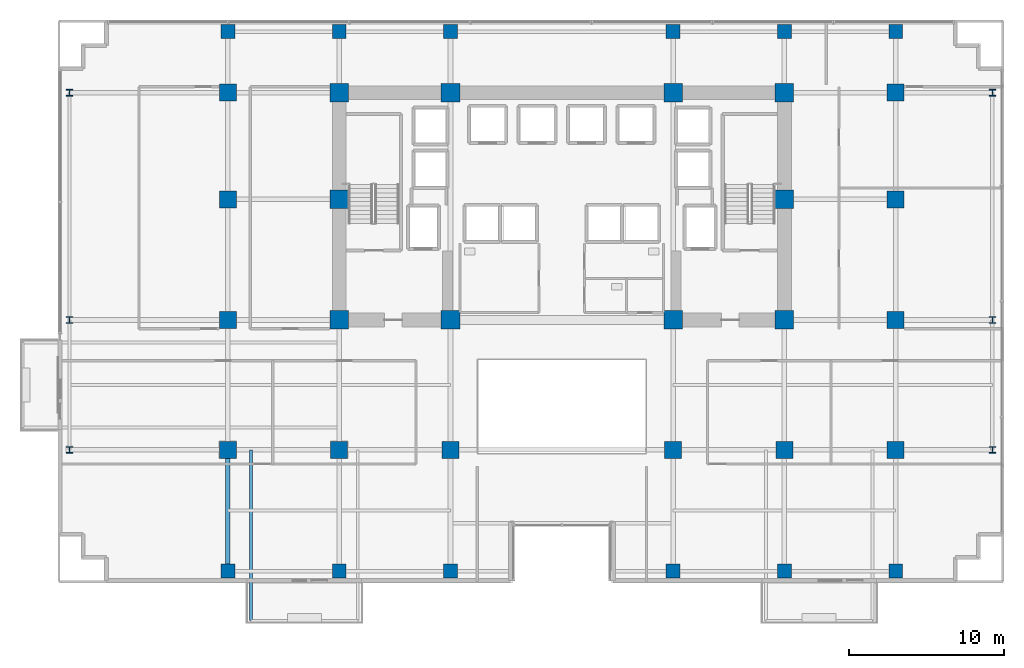
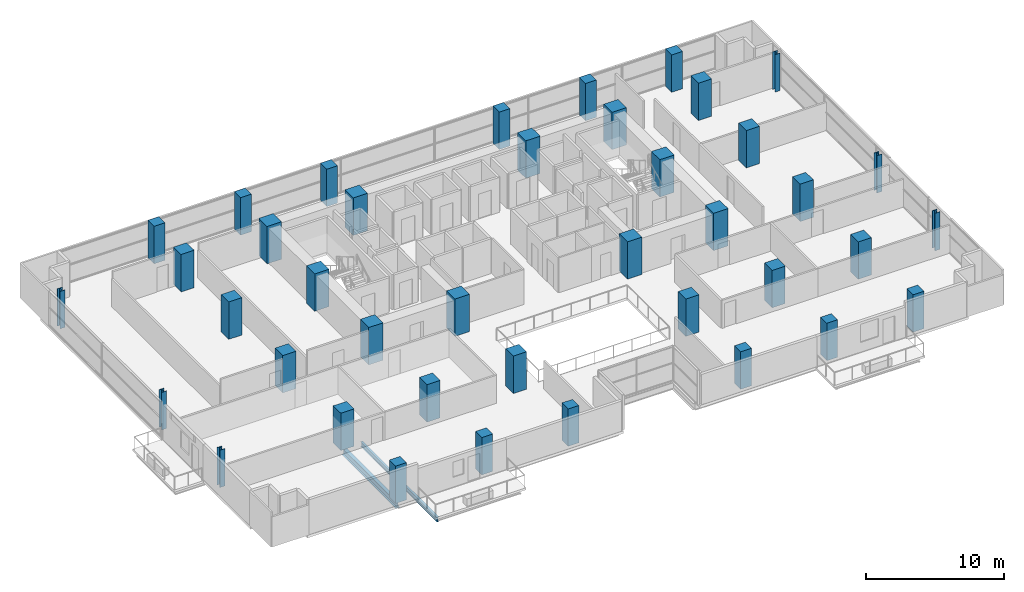
# One storey, part 1 of 30: 40 columns, 2 beams.
"""IFC4 building model written with IfcOpenShell, lengths in metres."""

from ifc_helpers import new_model, si_unit, direction, frame, origin, origin_2d, place, context, subcontext, project, spatial, rectangle, i_section, extrude, material, material_profile, profile_set, type_object, element, save


model = new_model("IFC4")

# Units and contexts
model_context = context("Model", 3, precision=1e-05, world=origin(), true_north=direction((0.0, 1.0)))
body_context = subcontext(model_context, "Body", "Model", "MODEL_VIEW")
ifc_project = project(units=[si_unit("LENGTHUNIT", "METRE"), si_unit("AREAUNIT", "SQUARE_METRE"), si_unit("VOLUMEUNIT", "CUBIC_METRE"), si_unit("PLANEANGLEUNIT", "RADIAN"), si_unit("MASSUNIT", "GRAM", prefix="KILO")], contexts=[model_context])

# Site, building, storey
site_placement = place(None, origin())
site = spatial("IfcSite", under=ifc_project, at=site_placement, CompositionType="ELEMENT")
building_placement = place(site_placement, origin())
building = spatial("IfcBuilding", under=site, at=building_placement, Name="Zarnakvel Exchange Tower", CompositionType="ELEMENT")
storey_placement = place(building_placement, frame((0.0, 0.0, 40.60009765625)))
storey = spatial("IfcBuildingStorey", under=building, at=storey_placement, Name="L10", CompositionType="ELEMENT", Elevation=40.60009765625)

# Columns
ifc_material_1 = material(Name="Concrete C80/95", Category="concrete")
ifc_material_profile_1 = material_profile(ifc_material_1, rectangle(XDim=1.199951171875, YDim=1.199951171875, at=origin_2d()))
ifc_profile_set_1 = profile_set([ifc_material_profile_1], Name="Concrete C80/95")
column_type_1 = type_object("IfcColumnType", Name="CC-01", PredefinedType="COLUMN", material=ifc_profile_set_1)
for number, where, z_axis, x_axis, name in (
    (1, (-14.39990234375, -1.199951171875, 0.0), (0.0, 0.0, 1.0), (1.0, 0.0, 0.0), "L10 Column C-4D (CC-01)"),
    (2, (-7.199951171875, -1.199951171875, 0.0), (0.0, 0.0, 1.0), (1.0, 0.0, 0.0), "L10 Column C-5D (CC-01)"),
    (3, (7.199951171875, -1.199951171875, 0.0), (0.0, 0.0, 1.0), (1.0, 0.0, 0.0), "L10 Column C-8D (CC-01)"),
    (4, (14.39990234375, -1.199951171875, 0.0), (0.0, 0.0, 1.0), (1.0, 0.0, 0.0), "L10 Column C-9D (CC-01)"),
    (5, (-14.39990234375, 6.60009765625, 0.0), (0.0, 0.0, 1.0), (1.0, 0.0, 0.0), "L10 Column C-4E (CC-01)"),
    (6, (14.39990234375, 6.60009765625, 0.0), (0.0, 0.0, 1.0), (1.0, 0.0, 0.0), "L10 Column C-9E (CC-01)"),
    (7, (-14.39990234375, 13.5, 0.0), (0.0, 0.0, 1.0), (1.0, 0.0, 0.0), "L10 Column C-4F (CC-01)"),
    (8, (-7.199951171875, 13.5, 0.0), (0.0, 0.0, 1.0), (1.0, 0.0, 0.0), "L10 Column C-5F (CC-01)"),
    (9, (7.199951171875, 13.5, 0.0), (0.0, 0.0, 1.0), (1.0, 0.0, 0.0), "L10 Column C-8F (CC-01)"),
    (10, (14.39990234375, 13.5, 0.0), (0.0, 0.0, 1.0), (1.0, 0.0, 0.0), "L10 Column C-9F (CC-01)"),
):
    element("IfcColumn", number, at=place(storey_placement, frame(where, z_axis=z_axis, x_axis=x_axis)), inside=storey, type_object=column_type_1, Name=name, PredefinedType="COLUMN", context=body_context, shape_type="SweptSolid", body=[
        extrude(rectangle(XDim=1.199951171875, YDim=1.199951171875, at=origin_2d()), origin(), (0.0, 0.0, 1.0), 3.2998046875),
    ])
ifc_material_2 = material(Name="Steel S355", Category="steel")
ifc_material_profile_2 = material_profile(ifc_material_2, i_section(OverallWidth=0.412109375, OverallDepth=0.425048828125, WebThickness=0.02587890625, FlangeThickness=0.0390625, FilletRadius=0.014892578125, at=origin_2d()))
ifc_profile_set_2 = profile_set([ifc_material_profile_2], Name="Steel S355")
column_type_2 = type_object("IfcColumnType", Name="SC-01", PredefinedType="COLUMN", material=ifc_profile_set_2)
for number, where, z_axis, x_axis, name in (
    (11, (-31.85009765625, -9.60009765625, 0.0), (0.0, 0.0, 1.0), (1.0, 0.0, 0.0), "L10 Column TW-C (SC-01)"),
    (12, (27.85009765625, -9.60009765625, 0.0), (0.0, 0.0, 1.0), (1.0, 0.0, 0.0), "L10 Column TE-C (SC-01)"),
    (13, (-31.85009765625, -1.199951171875, 0.0), (0.0, 0.0, 1.0), (1.0, 0.0, 0.0), "L10 Column TW-D (SC-01)"),
    (14, (27.85009765625, -1.199951171875, 0.0), (0.0, 0.0, 1.0), (1.0, 0.0, 0.0), "L10 Column TE-D (SC-01)"),
    (15, (-31.85009765625, 13.5, 0.0), (0.0, 0.0, 1.0), (1.0, 0.0, 0.0), "L10 Column TW-F (SC-01)"),
    (16, (27.85009765625, 13.5, 0.0), (0.0, 0.0, 1.0), (1.0, 0.0, 0.0), "L10 Column TE-F (SC-01)"),
):
    element("IfcColumn", number, at=place(storey_placement, frame(where, z_axis=z_axis, x_axis=x_axis)), inside=storey, type_object=column_type_2, Name=name, PredefinedType="COLUMN", context=body_context, shape_type="SweptSolid", body=[
        extrude(i_section(OverallWidth=0.412109375, OverallDepth=0.425048828125, WebThickness=0.02587890625, FlangeThickness=0.0390625, FilletRadius=0.014892578125, at=origin_2d()), origin(), (0.0, 0.0, 1.0), 3.2998046875),
    ])
ifc_material_profile_3 = material_profile(ifc_material_1, rectangle(XDim=1.10009765625, YDim=1.10009765625, at=origin_2d()))
ifc_profile_set_3 = profile_set([ifc_material_profile_3], Name="Concrete C80/95")
column_type_3 = type_object("IfcColumnType", Name="TC-01", PredefinedType="COLUMN", material=ifc_profile_set_3)
for number, where, z_axis, x_axis, name in (
    (17, (-14.39990234375, -9.60009765625, 0.0), (0.0, 0.0, 1.0), (1.0, 0.0, 0.0), "L10 Column T-4C (TC-01)"),
    (18, (-7.199951171875, -9.60009765625, 0.0), (0.0, 0.0, 1.0), (1.0, 0.0, 0.0), "L10 Column T-5C (TC-01)"),
    (19, (7.199951171875, -9.60009765625, 0.0), (0.0, 0.0, 1.0), (1.0, 0.0, 0.0), "L10 Column T-8C (TC-01)"),
    (20, (14.39990234375, -9.60009765625, 0.0), (0.0, 0.0, 1.0), (1.0, 0.0, 0.0), "L10 Column T-9C (TC-01)"),
    (21, (-21.60009765625, -9.60009765625, 0.0), (0.0, 0.0, 1.0), (1.0, 0.0, 0.0), "L10 Column T-3C (TC-01)"),
    (22, (-21.60009765625, -1.199951171875, 0.0), (0.0, 0.0, 1.0), (1.0, 0.0, 0.0), "L10 Column T-3D (TC-01)"),
    (23, (-21.60009765625, 6.60009765625, 0.0), (0.0, 0.0, 1.0), (1.0, 0.0, 0.0), "L10 Column T-3E (TC-01)"),
    (24, (-21.60009765625, 13.5, 0.0), (0.0, 0.0, 1.0), (1.0, 0.0, 0.0), "L10 Column T-3F (TC-01)"),
    (25, (21.60009765625, -9.60009765625, 0.0), (0.0, 0.0, 1.0), (1.0, 0.0, 0.0), "L10 Column T-10C (TC-01)"),
    (26, (21.60009765625, -1.199951171875, 0.0), (0.0, 0.0, 1.0), (1.0, 0.0, 0.0), "L10 Column T-10D (TC-01)"),
    (27, (21.60009765625, 6.60009765625, 0.0), (0.0, 0.0, 1.0), (1.0, 0.0, 0.0), "L10 Column T-10E (TC-01)"),
    (28, (21.60009765625, 13.5, 0.0), (0.0, 0.0, 1.0), (1.0, 0.0, 0.0), "L10 Column T-10F (TC-01)"),
):
    element("IfcColumn", number, at=place(storey_placement, frame(where, z_axis=z_axis, x_axis=x_axis)), inside=storey, type_object=column_type_3, Name=name, PredefinedType="COLUMN", context=body_context, shape_type="SweptSolid", body=[
        extrude(rectangle(XDim=1.10009765625, YDim=1.10009765625, at=origin_2d()), origin(), (0.0, 0.0, 1.0), 3.2998046875),
    ])
ifc_material_3 = material(Name="Concrete C60/75", Category="concrete")
ifc_material_profile_4 = material_profile(ifc_material_3, rectangle(XDim=0.89990234375, YDim=0.89990234375, at=origin_2d()))
ifc_profile_set_4 = profile_set([ifc_material_profile_4], Name="Concrete C60/75")
column_type_4 = type_object("IfcColumnType", Name="TC-02", PredefinedType="COLUMN", material=ifc_profile_set_4)
for number, where, z_axis, x_axis, name in (
    (29, (-14.39990234375, -17.449951171875, 0.0), (0.0, 0.0, 1.0), (1.0, 0.0, 0.0), "L10 Column TS-4 (TC-02)"),
    (30, (-14.39990234375, 17.449951171875, 0.0), (0.0, 0.0, 1.0), (1.0, 0.0, 0.0), "L10 Column TN-4 (TC-02)"),
    (31, (-7.199951171875, -17.449951171875, 0.0), (0.0, 0.0, 1.0), (1.0, 0.0, 0.0), "L10 Column TS-5 (TC-02)"),
    (32, (-7.199951171875, 17.449951171875, 0.0), (0.0, 0.0, 1.0), (1.0, 0.0, 0.0), "L10 Column TN-5 (TC-02)"),
    (33, (7.199951171875, -17.449951171875, 0.0), (0.0, 0.0, 1.0), (1.0, 0.0, 0.0), "L10 Column TS-8 (TC-02)"),
    (34, (7.199951171875, 17.449951171875, 0.0), (0.0, 0.0, 1.0), (1.0, 0.0, 0.0), "L10 Column TN-8 (TC-02)"),
    (35, (14.39990234375, -17.449951171875, 0.0), (0.0, 0.0, 1.0), (1.0, 0.0, 0.0), "L10 Column TS-9 (TC-02)"),
    (36, (14.39990234375, 17.449951171875, 0.0), (0.0, 0.0, 1.0), (1.0, 0.0, 0.0), "L10 Column TN-9 (TC-02)"),
    (37, (-21.60009765625, -17.449951171875, 0.0), (0.0, 0.0, 1.0), (1.0, 0.0, 0.0), "L10 Column TS-3 (TC-02)"),
    (38, (-21.60009765625, 17.449951171875, 0.0), (0.0, 0.0, 1.0), (1.0, 0.0, 0.0), "L10 Column TN-3 (TC-02)"),
    (39, (21.60009765625, -17.449951171875, 0.0), (0.0, 0.0, 1.0), (1.0, 0.0, 0.0), "L10 Column TS-10 (TC-02)"),
    (40, (21.60009765625, 17.449951171875, 0.0), (0.0, 0.0, 1.0), (1.0, 0.0, 0.0), "L10 Column TN-10 (TC-02)"),
):
    element("IfcColumn", number, at=place(storey_placement, frame(where, z_axis=z_axis, x_axis=x_axis)), inside=storey, type_object=column_type_4, Name=name, PredefinedType="COLUMN", context=body_context, shape_type="SweptSolid", body=[
        extrude(rectangle(XDim=0.89990234375, YDim=0.89990234375, at=origin_2d()), origin(), (0.0, 0.0, 1.0), 3.2998046875),
    ])

# Beams
ifc_material_profile_5 = material_profile(ifc_material_2, i_section(OverallWidth=0.179931640625, OverallDepth=0.39990234375, WebThickness=0.008544921875, FlangeThickness=0.013427734375, FilletRadius=0.02099609375, at=origin_2d()))
ifc_profile_set_5 = profile_set([ifc_material_profile_5], Name="Steel S355")
beam_type_1 = type_object("IfcBeamType", Name="B-06", PredefinedType="JOIST", material=ifc_profile_set_5)
beam_1_placement = place(storey_placement, frame((-20.10009765625, -9.60009765625, -0.425048828125), z_axis=(0.0, -1.0, 0.0), x_axis=(1.0, 0.0, 0.0)))
element("IfcBeam", 41, at=beam_1_placement, inside=storey, type_object=beam_type_1, Name="L10 Continuous Back-Spanned Balcony Beam W", PredefinedType="JOIST", context=body_context, shape_type="SweptSolid", body=[
    extrude(i_section(OverallWidth=0.179931640625, OverallDepth=0.39990234375, WebThickness=0.008544921875, FlangeThickness=0.013427734375, FilletRadius=0.02099609375, at=origin_2d()), origin(), (0.0, 0.0, 1.0), 11.0498046875),
])
ifc_material_profile_6 = material_profile(ifc_material_2, i_section(OverallWidth=0.300048828125, OverallDepth=0.60009765625, WebThickness=0.015380859375, FlangeThickness=0.030029296875, FilletRadius=0.027099609375, at=origin_2d()))
ifc_profile_set_6 = profile_set([ifc_material_profile_6], Name="Steel S355")
beam_type_2 = type_object("IfcBeamType", Name="G-04", PredefinedType="BEAM", material=ifc_profile_set_6)
beam_2_placement = place(storey_placement, frame((-21.60009765625, -17.449951171875, -0.525146484375), z_axis=(0.0, 1.0, 0.0), x_axis=(-1.0, 0.0, 0.0)))
element("IfcBeam", 42, at=beam_2_placement, inside=storey, type_object=beam_type_2, Name="L10 Tower N-S Frame Beam", PredefinedType="BEAM", context=body_context, shape_type="SweptSolid", body=[
    extrude(i_section(OverallWidth=0.300048828125, OverallDepth=0.60009765625, WebThickness=0.015380859375, FlangeThickness=0.030029296875, FilletRadius=0.027099609375, at=origin_2d()), origin(), (0.0, 0.0, 1.0), 7.849853515625),
])

save(model, "model.ifc")
